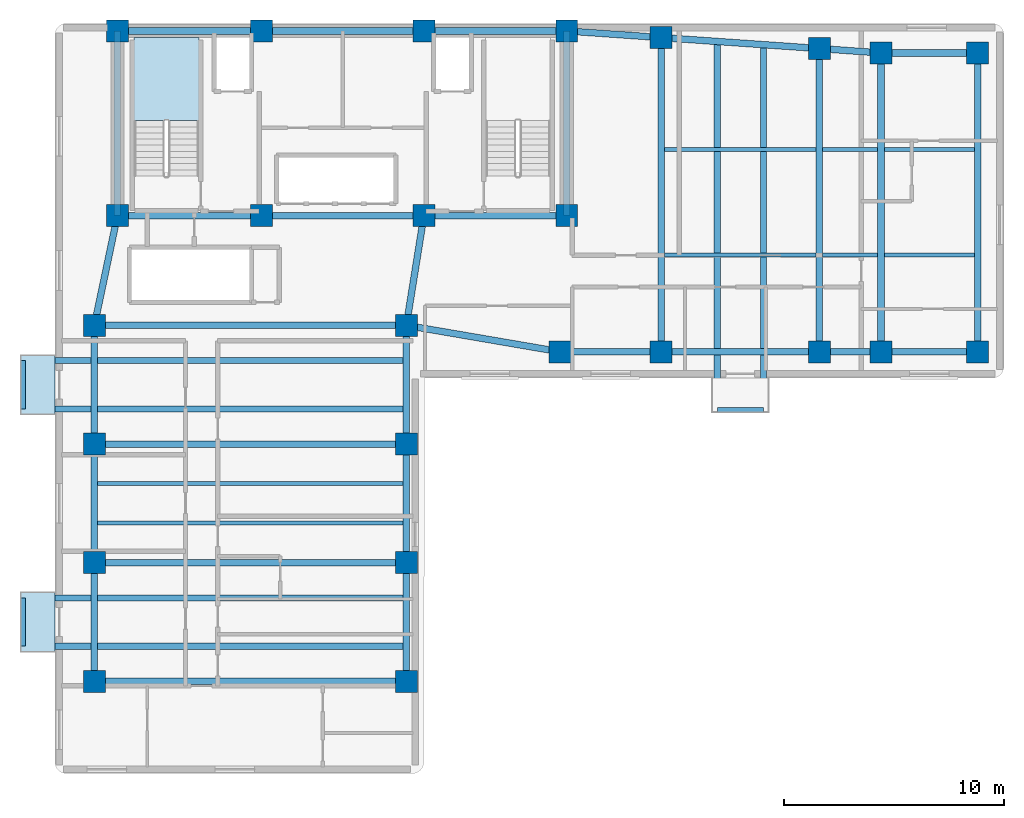
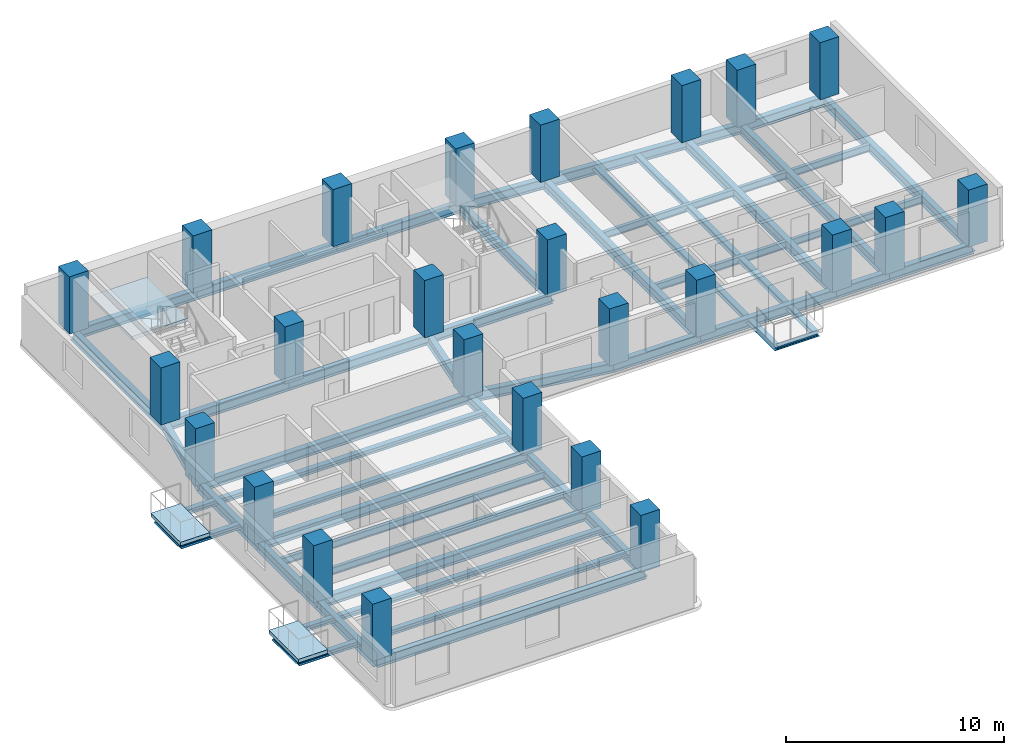
# One storey, part 1 of 7: 50 beams, 25 columns, 3 slabs, 1 element without a shape of its own.
"""IFC4 building model written with IfcOpenShell, lengths in metres."""

from ifc_helpers import new_model, si_unit, direction, frame, origin, origin_2d, place, context, subcontext, project, spatial, polyline, rectangle, i_section, outline, extrude, material, layer, layer_set, material_profile, profile_set, type_object, element, aggregate, save


model = new_model("IFC4")

# Units and contexts
model_context = context("Model", 3, precision=1e-05, world=origin(), true_north=direction((0.0, 1.0)))
body_context = subcontext(model_context, "Body", "Model", "MODEL_VIEW")
ifc_project = project(units=[si_unit("LENGTHUNIT", "METRE"), si_unit("AREAUNIT", "SQUARE_METRE"), si_unit("VOLUMEUNIT", "CUBIC_METRE"), si_unit("PLANEANGLEUNIT", "RADIAN"), si_unit("MASSUNIT", "GRAM", prefix="KILO")], contexts=[model_context])

# Site, building, storey
site_placement = place(None, origin())
site = spatial("IfcSite", under=ifc_project, at=site_placement, CompositionType="ELEMENT")
building_placement = place(site_placement, origin())
building = spatial("IfcBuilding", under=site, at=building_placement, Name="Kuzgunbayir Cultural Tower", CompositionType="ELEMENT")
storey_placement = place(building_placement, frame((0.0, 0.0, 129.800048828125)))
storey = spatial("IfcBuildingStorey", under=building, at=storey_placement, Name="L37", CompositionType="ELEMENT", Elevation=129.800048828125)

# Columns
ifc_material_1 = material(Name="Concrete C50/60", Category="concrete")
ifc_material_profile_1 = material_profile(ifc_material_1, rectangle(XDim=1.0, YDim=1.0, at=origin_2d()), Name="RC 1000x1000")
ifc_profile_set_1 = profile_set([ifc_material_profile_1], Name="Concrete C50/60")
column_type_1 = type_object("IfcColumnType", Name="COL-CORE-1000", PredefinedType="COLUMN", material=ifc_profile_set_1)
for number, where, z_axis, x_axis, name in (
    (1, (6.449951171875, 33.800048828125, 0.0), (0.0, 0.0, 1.0), (1.0, 0.0, 0.0), "L37 T1 Core Boundary Column CC1-1"),
    (2, (13.0, 33.800048828125, 0.0), (0.0, 0.0, 1.0), (1.0, 0.0, 0.0), "L37 T1 Core Boundary Column CC1-2"),
    (3, (20.39990234375, 33.800048828125, 0.0), (0.0, 0.0, 1.0), (1.0, 0.0, 0.0), "L37 T1 Core Boundary Column CC1-3"),
    (4, (26.89990234375, 33.800048828125, 0.0), (0.0, 0.0, 1.0), (1.0, 0.0, 0.0), "L37 T1 Core Boundary Column CC1-4"),
    (5, (6.449951171875, 42.199951171875, 0.0), (0.0, 0.0, 1.0), (1.0, 0.0, 0.0), "L37 T1 Core Boundary Column CC1-5"),
    (6, (13.0, 42.199951171875, 0.0), (0.0, 0.0, 1.0), (1.0, 0.0, 0.0), "L37 T1 Core Boundary Column CC1-6"),
    (7, (20.39990234375, 42.199951171875, 0.0), (0.0, 0.0, 1.0), (1.0, 0.0, 0.0), "L37 T1 Core Boundary Column CC1-7"),
    (8, (26.89990234375, 42.199951171875, 0.0), (0.0, 0.0, 1.0), (1.0, 0.0, 0.0), "L37 T1 Core Boundary Column CC1-8"),
):
    element("IfcColumn", number, at=place(storey_placement, frame(where, z_axis=z_axis, x_axis=x_axis)), inside=storey, type_object=column_type_1, Name=name, PredefinedType="COLUMN", context=body_context, shape_type="SweptSolid", body=[
        extrude(rectangle(XDim=1.0, YDim=1.0, at=origin_2d()), origin(), (0.0, 0.0, 1.0), 3.199951171875),
    ])
ifc_material_profile_2 = material_profile(ifc_material_1, rectangle(XDim=1.0, YDim=1.0, at=origin_2d()), Name="RC 1000x1000")
ifc_profile_set_2 = profile_set([ifc_material_profile_2], Name="Concrete C50/60")
column_type_2 = type_object("IfcColumnType", Name="COL-T1-1000", PredefinedType="COLUMN", material=ifc_profile_set_2)
for number, where, z_axis, x_axis, name in (
    (9, (5.39990234375, 12.60009765625, 0.0), (0.0, 0.0, 1.0), (1.0, 0.0, 0.0), "L37 Tower 1 Wing A Column T1A-W-1"),
    (10, (19.60009765625, 12.60009765625, 0.0), (0.0, 0.0, 1.0), (1.0, 0.0, 0.0), "L37 Tower 1 Wing A Column T1A-E-1"),
    (11, (5.39990234375, 18.0, 0.0), (0.0, 0.0, 1.0), (1.0, 0.0, 0.0), "L37 Tower 1 Wing A Column T1A-W-2"),
    (12, (19.60009765625, 18.0, 0.0), (0.0, 0.0, 1.0), (1.0, 0.0, 0.0), "L37 Tower 1 Wing A Column T1A-E-2"),
    (13, (5.39990234375, 23.39990234375, 0.0), (0.0, 0.0, 1.0), (1.0, 0.0, 0.0), "L37 Tower 1 Wing A Column T1A-W-3"),
    (14, (19.60009765625, 23.39990234375, 0.0), (0.0, 0.0, 1.0), (1.0, 0.0, 0.0), "L37 Tower 1 Wing A Column T1A-E-3"),
    (15, (5.39990234375, 28.800048828125, 0.0), (0.0, 0.0, 1.0), (1.0, 0.0, 0.0), "L37 Tower 1 Wing A Column T1A-W-4"),
    (16, (19.60009765625, 28.800048828125, 0.0), (0.0, 0.0, 1.0), (1.0, 0.0, 0.0), "L37 Tower 1 Wing A Column T1A-E-4"),
    (17, (26.60009765625, 27.60009765625, 0.0), (0.0, 0.0, 1.0), (1.0, 0.0, 0.0), "L37 Tower 1 Wing B Column T1B-1-1"),
    (18, (31.199951171875, 27.60009765625, 0.0), (0.0, 0.0, 1.0), (1.0, 0.0, 0.0), "L37 Tower 1 Wing B Column T1B-2-1"),
    (19, (31.199951171875, 41.89990234375, 0.0), (0.0, 0.0, 1.0), (1.0, 0.0, 0.0), "L37 Tower 1 Wing B Column T1B-2-2"),
    (20, (38.39990234375, 27.60009765625, 0.0), (0.0, 0.0, 1.0), (1.0, 0.0, 0.0), "L37 Tower 1 Wing B Column T1B-3-1"),
    (21, (38.39990234375, 41.39990234375, 0.0), (0.0, 0.0, 1.0), (1.0, 0.0, 0.0), "L37 Tower 1 Wing B Column T1B-3-2"),
    (22, (41.199951171875, 27.60009765625, 0.0), (0.0, 0.0, 1.0), (1.0, 0.0, 0.0), "L37 Tower 1 Wing B Column T1B-4-1"),
    (23, (41.199951171875, 41.199951171875, 0.0), (0.0, 0.0, 1.0), (1.0, 0.0, 0.0), "L37 Tower 1 Wing B Column T1B-4-2"),
    (24, (45.60009765625, 27.60009765625, 0.0), (0.0, 0.0, 1.0), (1.0, 0.0, 0.0), "L37 Tower 1 Wing B Column T1B-5-1"),
    (25, (45.60009765625, 41.199951171875, 0.0), (0.0, 0.0, 1.0), (1.0, 0.0, 0.0), "L37 Tower 1 Wing B Column T1B-5-2"),
):
    element("IfcColumn", number, at=place(storey_placement, frame(where, z_axis=z_axis, x_axis=x_axis)), inside=storey, type_object=column_type_2, Name=name, PredefinedType="COLUMN", context=body_context, shape_type="SweptSolid", body=[
        extrude(rectangle(XDim=1.0, YDim=1.0, at=origin_2d()), origin(), (0.0, 0.0, 1.0), 3.199951171875),
    ])

# Beams
ifc_material_2 = material(Name="Steel S355J2", Category="steel")
ifc_material_profile_3 = material_profile(ifc_material_2, i_section(OverallWidth=0.280029296875, OverallDepth=0.280029296875, WebThickness=0.010498046875, FlangeThickness=0.01806640625, FilletRadius=0.02392578125, at=origin_2d()), Name="HEB 280")
ifc_profile_set_3 = profile_set([ifc_material_profile_3], Name="Steel S355J2")
beam_type_1 = type_object("IfcBeamType", Name="BM-BAL-HEB280", PredefinedType="BEAM", material=ifc_profile_set_3)
for number, where, z_axis, x_axis, name in (
    (26, (2.159912109375, 14.199951171875, -0.340087890625), (1.0, 0.0, 0.0), (0.0, 1.0, 0.0), "L37 Balcony Outrigger Beam BAL-L37-WA1.1"),
    (27, (2.159912109375, 16.39990234375, -0.340087890625), (1.0, 0.0, 0.0), (0.0, 1.0, 0.0), "L37 Balcony Outrigger Beam BAL-L37-WA1.2"),
    (28, (2.159912109375, 25.0, -0.340087890625), (1.0, 0.0, 0.0), (0.0, 1.0, 0.0), "L37 Balcony Outrigger Beam BAL-L37-WA3.1"),
    (29, (2.159912109375, 27.199951171875, -0.340087890625), (1.0, 0.0, 0.0), (0.0, 1.0, 0.0), "L37 Balcony Outrigger Beam BAL-L37-WA3.2"),
):
    element("IfcBeam", number, at=place(storey_placement, frame(where, z_axis=z_axis, x_axis=x_axis)), inside=storey, type_object=beam_type_1, Name=name, PredefinedType="BEAM", context=body_context, shape_type="SweptSolid", body=[
        extrude(i_section(OverallWidth=0.280029296875, OverallDepth=0.280029296875, WebThickness=0.010498046875, FlangeThickness=0.01806640625, FilletRadius=0.02392578125, at=origin_2d()), origin(), (0.0, 0.0, 1.0), 17.440185546875),
    ])
beam_1_placement = place(storey_placement, frame((33.75, 24.9599609375, -0.340087890625), z_axis=(0.0, 1.0, 0.0), x_axis=(-1.0, 0.0, 0.0)))
element("IfcBeam", 30, at=beam_1_placement, inside=storey, type_object=beam_type_1, Name="L37 Balcony Outrigger Beam BAL-L37-WB2.1", PredefinedType="BEAM", context=body_context, shape_type="SweptSolid", body=[
    extrude(i_section(OverallWidth=0.280029296875, OverallDepth=0.280029296875, WebThickness=0.010498046875, FlangeThickness=0.01806640625, FilletRadius=0.02392578125, at=origin_2d()), origin(), (0.0, 0.0, 1.0), 16.760009765625),
])
beam_2_placement = place(storey_placement, frame((35.85009765625, 24.9599609375, -0.340087890625), z_axis=(0.0, 1.0, 0.0), x_axis=(-1.0, 0.0, 0.0)))
element("IfcBeam", 31, at=beam_2_placement, inside=storey, type_object=beam_type_1, Name="L37 Balcony Outrigger Beam BAL-L37-WB2.2", PredefinedType="BEAM", context=body_context, shape_type="SweptSolid", body=[
    extrude(i_section(OverallWidth=0.280029296875, OverallDepth=0.280029296875, WebThickness=0.010498046875, FlangeThickness=0.01806640625, FilletRadius=0.02392578125, at=origin_2d()), origin(), (0.0, 0.0, 1.0), 16.6201171875),
])
ifc_material_profile_4 = material_profile(ifc_material_2, i_section(OverallWidth=0.199951171875, OverallDepth=0.199951171875, WebThickness=0.009033203125, FlangeThickness=0.014892578125, FilletRadius=0.01806640625, at=origin_2d()), Name="HEB 200")
ifc_profile_set_4 = profile_set([ifc_material_profile_4], Name="Steel S355J2")
beam_type_2 = type_object("IfcBeamType", Name="BM-CAN-HEB200", PredefinedType="BEAM", material=ifc_profile_set_4)
for number, where, z_axis, x_axis, name in (
    (32, (2.159912109375, 14.199951171875, -0.300048828125), (0.0, 1.0, 0.0), (-1.0, 0.0, 0.0), "L37 Balcony Edge Header BAL-L37-WA1"),
    (33, (2.159912109375, 25.0, -0.300048828125), (0.0, 1.0, 0.0), (-1.0, 0.0, 0.0), "L37 Balcony Edge Header BAL-L37-WA3"),
):
    element("IfcBeam", number, at=place(storey_placement, frame(where, z_axis=z_axis, x_axis=x_axis)), inside=storey, type_object=beam_type_2, Name=name, PredefinedType="BEAM", context=body_context, shape_type="SweptSolid", body=[
        extrude(i_section(OverallWidth=0.199951171875, OverallDepth=0.199951171875, WebThickness=0.009033203125, FlangeThickness=0.014892578125, FilletRadius=0.01806640625, at=origin_2d()), origin(), (0.0, 0.0, 1.0), 2.199951171875),
    ])
beam_3_placement = place(storey_placement, frame((33.75, 24.9599609375, -0.300048828125), z_axis=(1.0, 0.0, 0.0), x_axis=(0.0, 1.0, 0.0)))
element("IfcBeam", 34, at=beam_3_placement, inside=storey, type_object=beam_type_2, Name="L37 Balcony Edge Header BAL-L37-WB2", PredefinedType="BEAM", context=body_context, shape_type="SweptSolid", body=[
    extrude(i_section(OverallWidth=0.199951171875, OverallDepth=0.199951171875, WebThickness=0.009033203125, FlangeThickness=0.014892578125, FilletRadius=0.01806640625, at=origin_2d()), origin(), (0.0, 0.0, 1.0), 2.10009765625),
])
ifc_material_profile_5 = material_profile(ifc_material_2, i_section(OverallWidth=0.300048828125, OverallDepth=0.550048828125, WebThickness=0.014892578125, FlangeThickness=0.029052734375, FilletRadius=0.027099609375, at=origin_2d()), Name="HEB 550")
ifc_profile_set_5 = profile_set([ifc_material_profile_5], Name="Steel S355J2")
beam_type_3 = type_object("IfcBeamType", Name="BM-EXT-HEB550", PredefinedType="BEAM", material=ifc_profile_set_5)
for number, where, z_axis, x_axis, name in (
    (35, (5.39990234375, 12.60009765625, -0.4599609375), (0.0, 1.0, 0.0), (-1.0, 0.0, 0.0), "L37 Wing A West Girder 1"),
    (36, (19.60009765625, 12.60009765625, -0.4599609375), (0.0, 1.0, 0.0), (-1.0, 0.0, 0.0), "L37 Wing A East Girder 1"),
    (37, (5.39990234375, 18.0, -0.4599609375), (0.0, 1.0, 0.0), (-1.0, 0.0, 0.0), "L37 Wing A West Girder 2"),
    (38, (19.60009765625, 18.0, -0.4599609375), (0.0, 1.0, 0.0), (-1.0, 0.0, 0.0), "L37 Wing A East Girder 2"),
):
    element("IfcBeam", number, at=place(storey_placement, frame(where, z_axis=z_axis, x_axis=x_axis)), inside=storey, type_object=beam_type_3, Name=name, PredefinedType="BEAM", context=body_context, shape_type="SweptSolid", body=[
        extrude(i_section(OverallWidth=0.300048828125, OverallDepth=0.550048828125, WebThickness=0.014892578125, FlangeThickness=0.029052734375, FilletRadius=0.027099609375, at=origin_2d()), origin(), (0.0, 0.0, 1.0), 5.39990234375),
    ])
for number, where, z_axis, x_axis, name in (
    (39, (5.39990234375, 23.39990234375, -0.4599609375), (0.0, 1.0, 0.0), (-1.0, 0.0, 0.0), "L37 Wing A West Girder 3"),
    (40, (19.60009765625, 23.39990234375, -0.4599609375), (0.0, 1.0, 0.0), (-1.0, 0.0, 0.0), "L37 Wing A East Girder 3"),
):
    element("IfcBeam", number, at=place(storey_placement, frame(where, z_axis=z_axis, x_axis=x_axis)), inside=storey, type_object=beam_type_3, Name=name, PredefinedType="BEAM", context=body_context, shape_type="SweptSolid", body=[
        extrude(i_section(OverallWidth=0.300048828125, OverallDepth=0.550048828125, WebThickness=0.014892578125, FlangeThickness=0.029052734375, FilletRadius=0.027099609375, at=origin_2d()), origin(), (0.0, 0.0, 1.0), 5.400146484375),
    ])
beam_4_placement = place(storey_placement, frame((26.60009765625, 27.60009765625, -0.4599609375), z_axis=(1.0, 0.0, 0.0), x_axis=(0.0, 1.0, 0.0)))
element("IfcBeam", 41, at=beam_4_placement, inside=storey, type_object=beam_type_3, Name="L37 Wing B South Girder 1", PredefinedType="BEAM", context=body_context, shape_type="SweptSolid", body=[
    extrude(i_section(OverallWidth=0.300048828125, OverallDepth=0.550048828125, WebThickness=0.014892578125, FlangeThickness=0.029052734375, FilletRadius=0.027099609375, at=origin_2d()), origin(), (0.0, 0.0, 1.0), 4.599853515625),
])
beam_5_placement = place(storey_placement, frame((26.89990234375, 42.199951171875, -0.4599609375), z_axis=(0.997574369175, -0.069608749203, 0.0), x_axis=(0.069608749203, 0.997574369175, 0.0)))
element("IfcBeam", 42, at=beam_5_placement, inside=storey, type_object=beam_type_3, Name="L37 Wing B North Girder 1", PredefinedType="BEAM", context=body_context, shape_type="SweptSolid", body=[
    extrude(i_section(OverallWidth=0.300048828125, OverallDepth=0.550048828125, WebThickness=0.014892578125, FlangeThickness=0.029052734375, FilletRadius=0.027099609375, at=origin_2d()), origin(), (0.0, 0.0, 1.0), 4.310546875),
])
beam_6_placement = place(storey_placement, frame((31.199951171875, 27.60009765625, -0.4599609375), z_axis=(1.0, 0.0, 0.0), x_axis=(0.0, 1.0, 0.0)))
element("IfcBeam", 43, at=beam_6_placement, inside=storey, type_object=beam_type_3, Name="L37 Wing B South Girder 2", PredefinedType="BEAM", context=body_context, shape_type="SweptSolid", body=[
    extrude(i_section(OverallWidth=0.300048828125, OverallDepth=0.550048828125, WebThickness=0.014892578125, FlangeThickness=0.029052734375, FilletRadius=0.027099609375, at=origin_2d()), origin(), (0.0, 0.0, 1.0), 7.199951171875),
])
beam_7_placement = place(storey_placement, frame((31.199951171875, 41.89990234375, -0.4599609375), z_axis=(0.997597388498, -0.069278066245, 0.0), x_axis=(0.069278066245, 0.997597388498, 0.0)))
element("IfcBeam", 44, at=beam_7_placement, inside=storey, type_object=beam_type_3, Name="L37 Wing B North Girder 2", PredefinedType="BEAM", context=body_context, shape_type="SweptSolid", body=[
    extrude(i_section(OverallWidth=0.300048828125, OverallDepth=0.550048828125, WebThickness=0.014892578125, FlangeThickness=0.029052734375, FilletRadius=0.027099609375, at=origin_2d()), origin(), (0.0, 0.0, 1.0), 7.21728515625),
])
beam_8_placement = place(storey_placement, frame((38.39990234375, 27.60009765625, -0.4599609375), z_axis=(1.0, 0.0, 0.0), x_axis=(0.0, 1.0, 0.0)))
element("IfcBeam", 45, at=beam_8_placement, inside=storey, type_object=beam_type_3, Name="L37 Wing B South Girder 3", PredefinedType="BEAM", context=body_context, shape_type="SweptSolid", body=[
    extrude(i_section(OverallWidth=0.300048828125, OverallDepth=0.550048828125, WebThickness=0.014892578125, FlangeThickness=0.029052734375, FilletRadius=0.027099609375, at=origin_2d()), origin(), (0.0, 0.0, 1.0), 2.800048828125),
])
beam_9_placement = place(storey_placement, frame((38.39990234375, 41.39990234375, -0.4599609375), z_axis=(0.997460024076, -0.071228508128, 0.0), x_axis=(0.071228508128, 0.997460024076, 0.0)))
element("IfcBeam", 46, at=beam_9_placement, inside=storey, type_object=beam_type_3, Name="L37 Wing B North Girder 3", PredefinedType="BEAM", context=body_context, shape_type="SweptSolid", body=[
    extrude(i_section(OverallWidth=0.300048828125, OverallDepth=0.550048828125, WebThickness=0.014892578125, FlangeThickness=0.029052734375, FilletRadius=0.027099609375, at=origin_2d()), origin(), (0.0, 0.0, 1.0), 2.80712890625),
])
for number, where, z_axis, x_axis, name in (
    (47, (41.199951171875, 27.60009765625, -0.4599609375), (1.0, 0.0, 0.0), (0.0, 1.0, 0.0), "L37 Wing B South Girder 4"),
    (48, (41.199951171875, 41.199951171875, -0.4599609375), (1.0, 0.0, 0.0), (0.0, 1.0, 0.0), "L37 Wing B North Girder 4"),
):
    element("IfcBeam", number, at=place(storey_placement, frame(where, z_axis=z_axis, x_axis=x_axis)), inside=storey, type_object=beam_type_3, Name=name, PredefinedType="BEAM", context=body_context, shape_type="SweptSolid", body=[
        extrude(i_section(OverallWidth=0.300048828125, OverallDepth=0.550048828125, WebThickness=0.014892578125, FlangeThickness=0.029052734375, FilletRadius=0.027099609375, at=origin_2d()), origin(), (0.0, 0.0, 1.0), 4.400146484375),
    ])
ifc_material_profile_6 = material_profile(ifc_material_2, i_section(OverallWidth=0.300048828125, OverallDepth=0.550048828125, WebThickness=0.014892578125, FlangeThickness=0.029052734375, FilletRadius=0.027099609375, at=origin_2d()), Name="HEB 550")
ifc_profile_set_6 = profile_set([ifc_material_profile_6], Name="Steel S355J2")
beam_type_4 = type_object("IfcBeamType", Name="BM-GIR-HEB550", PredefinedType="BEAM", material=ifc_profile_set_6)
beam_10_placement = place(storey_placement, frame((6.449951171875, 33.800048828125, -0.4599609375), z_axis=(1.0, 0.0, 0.0), x_axis=(0.0, 1.0, 0.0)))
element("IfcBeam", 49, at=beam_10_placement, inside=storey, type_object=beam_type_4, Name="L37 Core South Girder 1", PredefinedType="BEAM", context=body_context, shape_type="SweptSolid", body=[
    extrude(i_section(OverallWidth=0.300048828125, OverallDepth=0.550048828125, WebThickness=0.014892578125, FlangeThickness=0.029052734375, FilletRadius=0.027099609375, at=origin_2d()), origin(), (0.0, 0.0, 1.0), 6.550048828125),
])
beam_11_placement = place(storey_placement, frame((13.0, 33.800048828125, -0.4599609375), z_axis=(1.0, 0.0, 0.0), x_axis=(0.0, 1.0, 0.0)))
element("IfcBeam", 50, at=beam_11_placement, inside=storey, type_object=beam_type_4, Name="L37 Core South Girder 2", PredefinedType="BEAM", context=body_context, shape_type="SweptSolid", body=[
    extrude(i_section(OverallWidth=0.300048828125, OverallDepth=0.550048828125, WebThickness=0.014892578125, FlangeThickness=0.029052734375, FilletRadius=0.027099609375, at=origin_2d()), origin(), (0.0, 0.0, 1.0), 7.39990234375),
])
beam_12_placement = place(storey_placement, frame((20.39990234375, 33.800048828125, -0.4599609375), z_axis=(1.0, 0.0, 0.0), x_axis=(0.0, 1.0, 0.0)))
element("IfcBeam", 51, at=beam_12_placement, inside=storey, type_object=beam_type_4, Name="L37 Core South Girder 3", PredefinedType="BEAM", context=body_context, shape_type="SweptSolid", body=[
    extrude(i_section(OverallWidth=0.300048828125, OverallDepth=0.550048828125, WebThickness=0.014892578125, FlangeThickness=0.029052734375, FilletRadius=0.027099609375, at=origin_2d()), origin(), (0.0, 0.0, 1.0), 6.5),
])
beam_13_placement = place(storey_placement, frame((6.449951171875, 42.199951171875, -0.4599609375), z_axis=(1.0, 0.0, 0.0), x_axis=(0.0, 1.0, 0.0)))
element("IfcBeam", 52, at=beam_13_placement, inside=storey, type_object=beam_type_4, Name="L37 Core North Girder 1", PredefinedType="BEAM", context=body_context, shape_type="SweptSolid", body=[
    extrude(i_section(OverallWidth=0.300048828125, OverallDepth=0.550048828125, WebThickness=0.014892578125, FlangeThickness=0.029052734375, FilletRadius=0.027099609375, at=origin_2d()), origin(), (0.0, 0.0, 1.0), 6.550048828125),
])
beam_14_placement = place(storey_placement, frame((13.0, 42.199951171875, -0.4599609375), z_axis=(1.0, 0.0, 0.0), x_axis=(0.0, 1.0, 0.0)))
element("IfcBeam", 53, at=beam_14_placement, inside=storey, type_object=beam_type_4, Name="L37 Core North Girder 2", PredefinedType="BEAM", context=body_context, shape_type="SweptSolid", body=[
    extrude(i_section(OverallWidth=0.300048828125, OverallDepth=0.550048828125, WebThickness=0.014892578125, FlangeThickness=0.029052734375, FilletRadius=0.027099609375, at=origin_2d()), origin(), (0.0, 0.0, 1.0), 7.39990234375),
])
beam_15_placement = place(storey_placement, frame((20.39990234375, 42.199951171875, -0.4599609375), z_axis=(1.0, 0.0, 0.0), x_axis=(0.0, 1.0, 0.0)))
element("IfcBeam", 54, at=beam_15_placement, inside=storey, type_object=beam_type_4, Name="L37 Core North Girder 3", PredefinedType="BEAM", context=body_context, shape_type="SweptSolid", body=[
    extrude(i_section(OverallWidth=0.300048828125, OverallDepth=0.550048828125, WebThickness=0.014892578125, FlangeThickness=0.029052734375, FilletRadius=0.027099609375, at=origin_2d()), origin(), (0.0, 0.0, 1.0), 6.5),
])
for number, where, z_axis, x_axis, name in (
    (55, (6.449951171875, 33.800048828125, -0.4599609375), (0.0, 1.0, 0.0), (-1.0, 0.0, 0.0), "L37 Core West Edge Girder"),
    (56, (26.89990234375, 33.800048828125, -0.4599609375), (0.0, 1.0, 0.0), (-1.0, 0.0, 0.0), "L37 Core East Edge Girder"),
):
    element("IfcBeam", number, at=place(storey_placement, frame(where, z_axis=z_axis, x_axis=x_axis)), inside=storey, type_object=beam_type_4, Name=name, PredefinedType="BEAM", context=body_context, shape_type="SweptSolid", body=[
        extrude(i_section(OverallWidth=0.300048828125, OverallDepth=0.550048828125, WebThickness=0.014892578125, FlangeThickness=0.029052734375, FilletRadius=0.027099609375, at=origin_2d()), origin(), (0.0, 0.0, 1.0), 8.39990234375),
    ])
for number, where, z_axis, x_axis, name in (
    (57, (5.39990234375, 12.60009765625, -0.4599609375), (1.0, 0.0, 0.0), (0.0, 1.0, 0.0), "L37 Wing A Transverse Girder 1"),
    (58, (5.39990234375, 18.0, -0.4599609375), (1.0, 0.0, 0.0), (0.0, 1.0, 0.0), "L37 Wing A Transverse Girder 2"),
    (59, (5.39990234375, 23.39990234375, -0.4599609375), (1.0, 0.0, 0.0), (0.0, 1.0, 0.0), "L37 Wing A Transverse Girder 3"),
    (60, (5.39990234375, 28.800048828125, -0.4599609375), (1.0, 0.0, 0.0), (0.0, 1.0, 0.0), "L37 Wing A Transverse Girder 4"),
):
    element("IfcBeam", number, at=place(storey_placement, frame(where, z_axis=z_axis, x_axis=x_axis)), inside=storey, type_object=beam_type_4, Name=name, PredefinedType="BEAM", context=body_context, shape_type="SweptSolid", body=[
        extrude(i_section(OverallWidth=0.300048828125, OverallDepth=0.550048828125, WebThickness=0.014892578125, FlangeThickness=0.029052734375, FilletRadius=0.027099609375, at=origin_2d()), origin(), (0.0, 0.0, 1.0), 14.2001953125),
    ])
beam_16_placement = place(storey_placement, frame((5.39990234375, 28.800048828125, -0.4599609375), z_axis=(0.205526387753, 0.978651574329, 0.0), x_axis=(-0.978651574329, 0.205526387753, 0.0)))
element("IfcBeam", 61, at=beam_16_placement, inside=storey, type_object=beam_type_4, Name="L37 Wing A West Core Floor Girder", PredefinedType="BEAM", context=body_context, shape_type="SweptSolid", body=[
    extrude(i_section(OverallWidth=0.300048828125, OverallDepth=0.550048828125, WebThickness=0.014892578125, FlangeThickness=0.029052734375, FilletRadius=0.027099609375, at=origin_2d()), origin(), (0.0, 0.0, 1.0), 5.109130859375),
])
beam_17_placement = place(storey_placement, frame((19.60009765625, 28.800048828125, -0.4599609375), z_axis=(0.157952891656, 0.987446648694, 0.0), x_axis=(-0.987446648694, 0.157952891656, 0.0)))
element("IfcBeam", 62, at=beam_17_placement, inside=storey, type_object=beam_type_4, Name="L37 Wing A East Core Floor Girder", PredefinedType="BEAM", context=body_context, shape_type="SweptSolid", body=[
    extrude(i_section(OverallWidth=0.300048828125, OverallDepth=0.550048828125, WebThickness=0.014892578125, FlangeThickness=0.029052734375, FilletRadius=0.027099609375, at=origin_2d()), origin(), (0.0, 0.0, 1.0), 5.0634765625),
])
beam_18_placement = place(storey_placement, frame((31.199951171875, 27.60009765625, -0.4599609375), z_axis=(0.0, 1.0, 0.0), x_axis=(-1.0, 0.0, 0.0)))
element("IfcBeam", 63, at=beam_18_placement, inside=storey, type_object=beam_type_4, Name="L37 Wing B Cross Girder 31", PredefinedType="BEAM", context=body_context, shape_type="SweptSolid", body=[
    extrude(i_section(OverallWidth=0.300048828125, OverallDepth=0.550048828125, WebThickness=0.014892578125, FlangeThickness=0.029052734375, FilletRadius=0.027099609375, at=origin_2d()), origin(), (0.0, 0.0, 1.0), 14.2998046875),
])
beam_19_placement = place(storey_placement, frame((38.39990234375, 27.60009765625, -0.4599609375), z_axis=(0.0, 1.0, 0.0), x_axis=(-1.0, 0.0, 0.0)))
element("IfcBeam", 64, at=beam_19_placement, inside=storey, type_object=beam_type_4, Name="L37 Wing B Cross Girder 38", PredefinedType="BEAM", context=body_context, shape_type="SweptSolid", body=[
    extrude(i_section(OverallWidth=0.300048828125, OverallDepth=0.550048828125, WebThickness=0.014892578125, FlangeThickness=0.029052734375, FilletRadius=0.027099609375, at=origin_2d()), origin(), (0.0, 0.0, 1.0), 13.7998046875),
])
for number, where, z_axis, x_axis, name in (
    (65, (41.199951171875, 27.60009765625, -0.4599609375), (0.0, 1.0, 0.0), (-1.0, 0.0, 0.0), "L37 Wing B Cross Girder 41"),
    (66, (45.60009765625, 27.60009765625, -0.4599609375), (0.0, 1.0, 0.0), (-1.0, 0.0, 0.0), "L37 Wing B Cross Girder 45"),
):
    element("IfcBeam", number, at=place(storey_placement, frame(where, z_axis=z_axis, x_axis=x_axis)), inside=storey, type_object=beam_type_4, Name=name, PredefinedType="BEAM", context=body_context, shape_type="SweptSolid", body=[
        extrude(i_section(OverallWidth=0.300048828125, OverallDepth=0.550048828125, WebThickness=0.014892578125, FlangeThickness=0.029052734375, FilletRadius=0.027099609375, at=origin_2d()), origin(), (0.0, 0.0, 1.0), 13.599853515625),
    ])
beam_20_placement = place(storey_placement, frame((19.60009765625, 28.800048828125, -0.4599609375), z_axis=(0.985623399742, -0.168957136221, 0.0), x_axis=(0.168957136221, 0.985623399742, 0.0)))
element("IfcBeam", 67, at=beam_20_placement, inside=storey, type_object=beam_type_4, Name="L37 Wing B Waist Tie Girder", PredefinedType="BEAM", context=body_context, shape_type="SweptSolid", body=[
    extrude(i_section(OverallWidth=0.300048828125, OverallDepth=0.550048828125, WebThickness=0.014892578125, FlangeThickness=0.029052734375, FilletRadius=0.027099609375, at=origin_2d()), origin(), (0.0, 0.0, 1.0), 7.10205078125),
])
ifc_material_profile_7 = material_profile(ifc_material_2, i_section(OverallWidth=0.179931640625, OverallDepth=0.39990234375, WebThickness=0.008544921875, FlangeThickness=0.013427734375, FilletRadius=0.02099609375, at=origin_2d()), Name="IPE 400")
ifc_profile_set_7 = profile_set([ifc_material_profile_7], Name="Steel S355J2")
beam_type_5 = type_object("IfcBeamType", Name="BM-JST-IPE400", PredefinedType="JOIST", material=ifc_profile_set_7)
for number, where, z_axis, x_axis, name in (
    (68, (5.550048828125, 19.800048828125, -0.380126953125), (1.0, 0.0, 0.0), (0.0, 1.0, 0.0), "L37 Wing A Secondary Joist 3"),
    (69, (5.550048828125, 21.60009765625, -0.380126953125), (1.0, 0.0, 0.0), (0.0, 1.0, 0.0), "L37 Wing A Secondary Joist 4"),
):
    element("IfcBeam", number, at=place(storey_placement, frame(where, z_axis=z_axis, x_axis=x_axis)), inside=storey, type_object=beam_type_5, Name=name, PredefinedType="JOIST", context=body_context, shape_type="SweptSolid", body=[
        extrude(i_section(OverallWidth=0.179931640625, OverallDepth=0.39990234375, WebThickness=0.008544921875, FlangeThickness=0.013427734375, FilletRadius=0.02099609375, at=origin_2d()), origin(), (0.0, 0.0, 1.0), 13.89990234375),
    ])
for number, where, z_axis, x_axis, name in (
    (70, (31.35009765625, 32.0, -0.380126953125), (1.0, 0.0, 0.0), (0.0, 1.0, 0.0), "L37 Wing B Secondary Joist 1.1"),
    (71, (31.35009765625, 36.800048828125, -0.380126953125), (1.0, 0.0, 0.0), (0.0, 1.0, 0.0), "L37 Wing B Secondary Joist 1.2"),
):
    element("IfcBeam", number, at=place(storey_placement, frame(where, z_axis=z_axis, x_axis=x_axis)), inside=storey, type_object=beam_type_5, Name=name, PredefinedType="JOIST", context=body_context, shape_type="SweptSolid", body=[
        extrude(i_section(OverallWidth=0.179931640625, OverallDepth=0.39990234375, WebThickness=0.008544921875, FlangeThickness=0.013427734375, FilletRadius=0.02099609375, at=origin_2d()), origin(), (0.0, 0.0, 1.0), 6.89990234375),
    ])
for number, where, z_axis, x_axis, name in (
    (72, (38.550048828125, 32.0, -0.380126953125), (1.0, 0.0, 0.0), (0.0, 1.0, 0.0), "L37 Wing B Secondary Joist 2.1"),
    (73, (38.550048828125, 36.800048828125, -0.380126953125), (1.0, 0.0, 0.0), (0.0, 1.0, 0.0), "L37 Wing B Secondary Joist 2.2"),
):
    element("IfcBeam", number, at=place(storey_placement, frame(where, z_axis=z_axis, x_axis=x_axis)), inside=storey, type_object=beam_type_5, Name=name, PredefinedType="JOIST", context=body_context, shape_type="SweptSolid", body=[
        extrude(i_section(OverallWidth=0.179931640625, OverallDepth=0.39990234375, WebThickness=0.008544921875, FlangeThickness=0.013427734375, FilletRadius=0.02099609375, at=origin_2d()), origin(), (0.0, 0.0, 1.0), 2.5),
    ])
for number, where, z_axis, x_axis, name in (
    (74, (41.35009765625, 32.0, -0.380126953125), (1.0, 0.0, 0.0), (0.0, 1.0, 0.0), "L37 Wing B Secondary Joist 3.1"),
    (75, (41.35009765625, 36.800048828125, -0.380126953125), (1.0, 0.0, 0.0), (0.0, 1.0, 0.0), "L37 Wing B Secondary Joist 3.2"),
):
    element("IfcBeam", number, at=place(storey_placement, frame(where, z_axis=z_axis, x_axis=x_axis)), inside=storey, type_object=beam_type_5, Name=name, PredefinedType="JOIST", context=body_context, shape_type="SweptSolid", body=[
        extrude(i_section(OverallWidth=0.179931640625, OverallDepth=0.39990234375, WebThickness=0.008544921875, FlangeThickness=0.013427734375, FilletRadius=0.02099609375, at=origin_2d()), origin(), (0.0, 0.0, 1.0), 4.099853515625),
    ])

# Slabs
ifc_material_3 = material(Name="Concrete C40/50", Category="concrete")
ifc_layer_1 = layer(ifc_material_3, 0.199951171875)
ifc_layer_set_1 = layer_set([ifc_layer_1], Name="Concrete C40/50")
slab_type_1 = type_object("IfcSlabType", Name="SLB-BAL-STONE", PredefinedType="FLOOR", material=ifc_layer_set_1)
slab_1_placement = place(storey_placement, frame((0.0, 0.0, -0.199951171875)))
element("IfcSlab", 76, at=slab_1_placement, inside=storey, type_object=slab_type_1, Name="L37 Projecting Limestone Balcony BAL-L37-WA1", PredefinedType="FLOOR", context=body_context, shape_type="SweptSolid", body=[
    extrude(outline(polyline([(2.0400390625, 13.949951171875), (3.60009765625, 13.949951171875), (3.60009765625, 16.64990234375), (2.0400390625, 16.64990234375), (2.0400390625, 13.949951171875)])), origin(), (0.0, 0.0, 1.0), 0.199951171875),
])
slab_2_placement = place(storey_placement, frame((0.0, 0.0, -0.199951171875)))
element("IfcSlab", 77, at=slab_2_placement, inside=storey, type_object=slab_type_1, Name="L37 Projecting Limestone Balcony BAL-L37-WA3", PredefinedType="FLOOR", context=body_context, shape_type="SweptSolid", body=[
    extrude(outline(polyline([(2.0400390625, 24.75), (3.60009765625, 24.75), (3.60009765625, 27.449951171875), (2.0400390625, 27.449951171875), (2.0400390625, 24.75)])), origin(), (0.0, 0.0, 1.0), 0.199951171875),
])

# Stair, slab
stair_type = type_object("IfcStairType", Name="STR-EXIT-CORE", PredefinedType="HALF_TURN_STAIR", material=ifc_material_3)
stair_placement = place(storey_placement, origin())
stair = element("IfcStair", 78, at=stair_placement, inside=storey, type_object=stair_type, Name="L37 ST-1", PredefinedType="HALF_TURN_STAIR")
ifc_layer_2 = layer(ifc_material_3, 0.179931640625)
ifc_layer_set_2 = layer_set([ifc_layer_2], Name="Concrete C40/50")
slab_type_2 = type_object("IfcSlabType", Name="SLB-LANDING-180", PredefinedType="LANDING", material=ifc_layer_set_2)
slab_3_placement = place(storey_placement, frame((0.0, 0.0, 1.39990234375)))
slab_3 = element("IfcSlab", 79, at=slab_3_placement, type_object=slab_type_2, Name="ST-1 landing 1", PredefinedType="LANDING", context=body_context, shape_type="SweptSolid", body=[
    extrude(outline(polyline([(10.159912109375, 38.1201171875), (10.159912109375, 41.89990234375), (7.199951171875, 41.89990234375), (7.199951171875, 38.1201171875), (10.159912109375, 38.1201171875)])), origin(), (0.0, 0.0, 1.0), 0.199951171875),
])
aggregate(stair, [slab_3])

save(model, "model.ifc")
